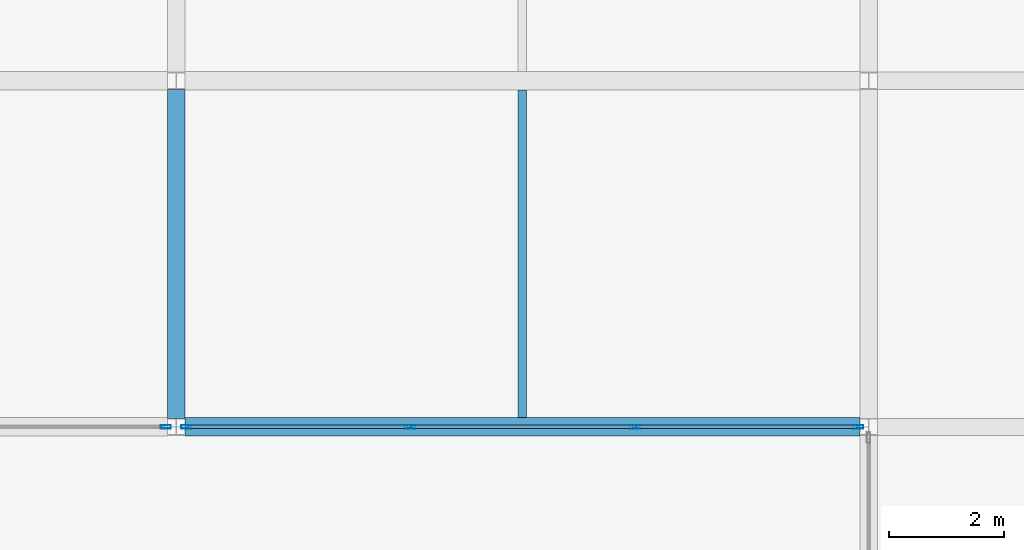
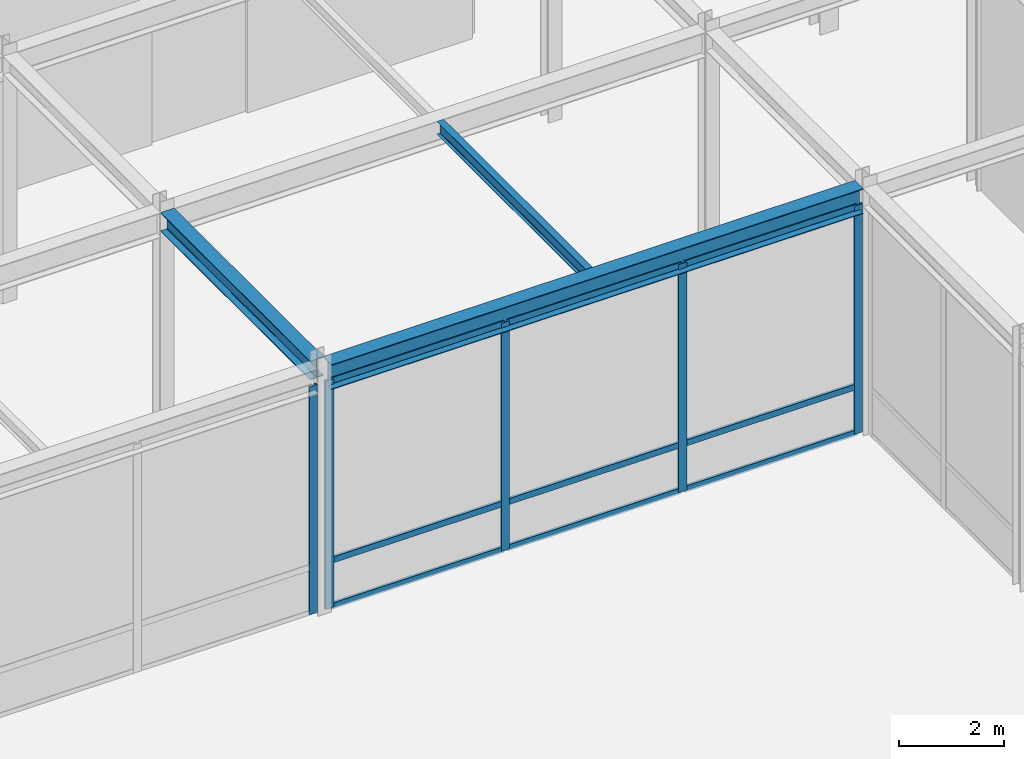
# One storey, part 72 of 108: 14 members, 3 beams, 2 elements without a shape of their own.
"""IFC4 building model written with IfcOpenShell, lengths in metres."""

from ifc_helpers import new_model, si_unit, direction, frame, origin, origin_2d, place, context, subcontext, project, spatial, hollow_rectangle, i_section, extrude, material, layer, layer_set, material_profile, profile_set, type_object, element, aggregate, save


model = new_model("IFC4")

# Units and contexts
model_context = context("Model", 3, precision=1e-05, world=origin(), true_north=direction((0.0, 1.0)))
body_context = subcontext(model_context, "Body", "Model", "MODEL_VIEW")
ifc_project = project(units=[si_unit("LENGTHUNIT", "METRE"), si_unit("AREAUNIT", "SQUARE_METRE"), si_unit("VOLUMEUNIT", "CUBIC_METRE"), si_unit("PLANEANGLEUNIT", "RADIAN"), si_unit("MASSUNIT", "GRAM", prefix="KILO")], contexts=[model_context])

# Site, building, storey
site_placement = place(None, origin())
site = spatial("IfcSite", under=ifc_project, at=site_placement, CompositionType="ELEMENT")
building_placement = place(site_placement, origin())
building = spatial("IfcBuilding", under=site, at=building_placement, Name="Zlatovratsky Civic Hall", CompositionType="ELEMENT")
storey_placement = place(building_placement, frame((0.0, 0.0, 6.0)))
storey = spatial("IfcBuildingStorey", under=building, at=storey_placement, Name="L02", CompositionType="ELEMENT", Elevation=6.0)

# Beams
ifc_material_1 = material(Name="Steel S355", Category="steel")
ifc_material_profile_1 = material_profile(ifc_material_1, i_section(OverallWidth=0.320068359375, OverallDepth=0.58203125, WebThickness=0.011962890625, FlangeThickness=0.01708984375, FilletRadius=0.02392578125, at=origin_2d()), Name="60Sh1")
ifc_profile_set_1 = profile_set([ifc_material_profile_1], Name="Steel S355")
beam_type_1 = type_object("IfcBeamType", Name="Beam_PodiumGirder_60Sh1", PredefinedType="BEAM", material=ifc_profile_set_1)
beam_1_placement = place(storey_placement, frame((36.14990234375, 66.0, 5.468994140625), z_axis=(1.0, 0.0, 0.0), x_axis=(0.0, 1.0, 0.0)))
element("IfcBeam", 1, at=beam_1_placement, inside=storey, type_object=beam_type_1, Name="BM-1873", PredefinedType="BEAM", context=body_context, shape_type="SweptSolid", body=[
    extrude(i_section(OverallWidth=0.320068359375, OverallDepth=0.58203125, WebThickness=0.011962890625, FlangeThickness=0.01708984375, FilletRadius=0.02392578125, at=origin_2d()), origin(), (0.0, 0.0, 1.0), 11.7001953125),
])
ifc_material_profile_2 = material_profile(ifc_material_1, i_section(OverallWidth=0.300048828125, OverallDepth=0.43994140625, WebThickness=0.010986328125, FlangeThickness=0.01806640625, FilletRadius=0.02197265625, at=origin_2d()), Name="45Sh1")
ifc_profile_set_2 = profile_set([ifc_material_profile_2], Name="Steel S355")
beam_type_2 = type_object("IfcBeamType", Name="Beam_TowerLow_45Sh1", PredefinedType="BEAM", material=ifc_profile_set_2)
beam_2_placement = place(storey_placement, frame((36.0, 66.14990234375, 5.5400390625), z_axis=(0.0, 1.0, 0.0), x_axis=(-1.0, 0.0, 0.0)))
element("IfcBeam", 2, at=beam_2_placement, inside=storey, type_object=beam_type_2, Name="BM-2122", PredefinedType="BEAM", context=body_context, shape_type="SweptSolid", body=[
    extrude(i_section(OverallWidth=0.300048828125, OverallDepth=0.43994140625, WebThickness=0.010986328125, FlangeThickness=0.01806640625, FilletRadius=0.02197265625, at=origin_2d()), origin(), (0.0, 0.0, 1.0), 5.7001953125),
])

# Curtain wall, member
ifc_material_2 = material(Name="Anodised bronze aluminium", Category="aluminium")
ifc_layer = layer(ifc_material_2, 0.159912109375)
ifc_layer_set = layer_set([ifc_layer], Name="Anodised bronze aluminium")
curtain_wall_type = type_object("IfcCurtainWallType", Name="CurtainWall_Bronze_11700x5310_05", PredefinedType="NOTDEFINED", material=ifc_layer_set)
curtain_wall_1_placement = place(storey_placement, origin())
curtain_wall_1 = element("IfcCurtainWall", 3, at=curtain_wall_1_placement, inside=storey, type_object=curtain_wall_type, Name="CW-013", PredefinedType="NOTDEFINED")
ifc_material_profile_3 = material_profile(ifc_material_2, hollow_rectangle(XDim=0.06005859375, YDim=0.179931640625, WallThickness=0.00390625, at=origin_2d()), Name="ALU 60x180x4")
ifc_profile_set_3 = profile_set([ifc_material_profile_3], Name="Anodised bronze aluminium")
member_type_1 = type_object("IfcMemberType", Name="CW_Mullion_60x180", PredefinedType="MULLION", material=ifc_profile_set_3)
member_1_placement = place(storey_placement, frame((35.820068359375, 66.0, 0.0), z_axis=(0.0, 0.0, 1.0), x_axis=(0.0, 1.0, 0.0)))
member_1 = element("IfcMember", 4, at=member_1_placement, type_object=member_type_1, Name="CW-05 mullion 4", PredefinedType="MULLION", context=body_context, shape_type="SweptSolid", body=[
    extrude(hollow_rectangle(XDim=0.06005859375, YDim=0.179931640625, WallThickness=0.00390625, at=origin_2d()), origin(), (0.0, 0.0, 1.0), 5.31005859375),
])
aggregate(curtain_wall_1, [member_1])

# Curtain wall, members
curtain_wall_2_placement = place(storey_placement, origin())
curtain_wall_2 = element("IfcCurtainWall", 5, at=curtain_wall_2_placement, inside=storey, type_object=curtain_wall_type, Name="CW-014", PredefinedType="NOTDEFINED")
member_2_placement = place(storey_placement, frame((36.179931640625, 66.0, 0.0), z_axis=(0.0, 0.0, 1.0), x_axis=(0.0, 1.0, 0.0)))
member_2 = element("IfcMember", 6, at=member_2_placement, type_object=member_type_1, Name="CW-05 mullion 1", PredefinedType="MULLION", context=body_context, shape_type="SweptSolid", body=[
    extrude(hollow_rectangle(XDim=0.06005859375, YDim=0.179931640625, WallThickness=0.00390625, at=origin_2d()), origin(), (0.0, 0.0, 1.0), 5.31005859375),
])
member_3_placement = place(storey_placement, frame((40.050048828125, 66.0, 0.0), z_axis=(0.0, 0.0, 1.0), x_axis=(0.0, 1.0, 0.0)))
member_3 = element("IfcMember", 7, at=member_3_placement, type_object=member_type_1, Name="CW-05 mullion 2", PredefinedType="MULLION", context=body_context, shape_type="SweptSolid", body=[
    extrude(hollow_rectangle(XDim=0.06005859375, YDim=0.179931640625, WallThickness=0.00390625, at=origin_2d()), origin(), (0.0, 0.0, 1.0), 5.31005859375),
])
member_4_placement = place(storey_placement, frame((43.949951171875, 66.0, 0.0), z_axis=(0.0, 0.0, 1.0), x_axis=(0.0, 1.0, 0.0)))
member_4 = element("IfcMember", 8, at=member_4_placement, type_object=member_type_1, Name="CW-05 mullion 3", PredefinedType="MULLION", context=body_context, shape_type="SweptSolid", body=[
    extrude(hollow_rectangle(XDim=0.06005859375, YDim=0.179931640625, WallThickness=0.00390625, at=origin_2d()), origin(), (0.0, 0.0, 1.0), 5.31005859375),
])
member_5_placement = place(storey_placement, frame((47.820068359375, 66.0, 0.0), z_axis=(0.0, 0.0, 1.0), x_axis=(0.0, 1.0, 0.0)))
member_5 = element("IfcMember", 9, at=member_5_placement, type_object=member_type_1, Name="CW-05 mullion 4", PredefinedType="MULLION", context=body_context, shape_type="SweptSolid", body=[
    extrude(hollow_rectangle(XDim=0.06005859375, YDim=0.179931640625, WallThickness=0.00390625, at=origin_2d()), origin(), (0.0, 0.0, 1.0), 5.31005859375),
])
ifc_material_profile_4 = material_profile(ifc_material_2, hollow_rectangle(XDim=0.06005859375, YDim=0.139892578125, WallThickness=0.00390625, at=origin_2d()), Name="ALU 60x140x4")
ifc_profile_set_4 = profile_set([ifc_material_profile_4], Name="Anodised bronze aluminium")
member_type_2 = type_object("IfcMemberType", Name="CW_Transom_60x140", PredefinedType="USERDEFINED", material=ifc_profile_set_4)
member_6_placement = place(storey_placement, frame((36.2099609375, 66.0, 0.030029296875), z_axis=(1.0, 0.0, 0.0), x_axis=(0.0, 1.0, 0.0)))
member_6 = element("IfcMember", 10, at=member_6_placement, type_object=member_type_2, Name="CW-05 transom 1.1", ObjectType="TRANSOM", PredefinedType="USERDEFINED", context=body_context, shape_type="SweptSolid", body=[
    extrude(hollow_rectangle(XDim=0.06005859375, YDim=0.139892578125, WallThickness=0.00390625, at=origin_2d()), origin(), (0.0, 0.0, 1.0), 3.81005859375),
])
member_7_placement = place(storey_placement, frame((36.2099609375, 66.0, 1.10009765625), z_axis=(1.0, 0.0, 0.0), x_axis=(0.0, 1.0, 0.0)))
member_7 = element("IfcMember", 11, at=member_7_placement, type_object=member_type_2, Name="CW-05 transom 1.2", ObjectType="TRANSOM", PredefinedType="USERDEFINED", context=body_context, shape_type="SweptSolid", body=[
    extrude(hollow_rectangle(XDim=0.06005859375, YDim=0.139892578125, WallThickness=0.00390625, at=origin_2d()), origin(), (0.0, 0.0, 1.0), 3.81005859375),
])
member_8_placement = place(storey_placement, frame((36.2099609375, 66.0, 5.280029296875), z_axis=(1.0, 0.0, 0.0), x_axis=(0.0, 1.0, 0.0)))
member_8 = element("IfcMember", 12, at=member_8_placement, type_object=member_type_2, Name="CW-05 transom 1.3", ObjectType="TRANSOM", PredefinedType="USERDEFINED", context=body_context, shape_type="SweptSolid", body=[
    extrude(hollow_rectangle(XDim=0.06005859375, YDim=0.139892578125, WallThickness=0.00390625, at=origin_2d()), origin(), (0.0, 0.0, 1.0), 3.81005859375),
])
member_9_placement = place(storey_placement, frame((40.080078125, 66.0, 0.030029296875), z_axis=(1.0, 0.0, 0.0), x_axis=(0.0, 1.0, 0.0)))
member_9 = element("IfcMember", 13, at=member_9_placement, type_object=member_type_2, Name="CW-05 transom 2.1", ObjectType="TRANSOM", PredefinedType="USERDEFINED", context=body_context, shape_type="SweptSolid", body=[
    extrude(hollow_rectangle(XDim=0.06005859375, YDim=0.139892578125, WallThickness=0.00390625, at=origin_2d()), origin(), (0.0, 0.0, 1.0), 3.83984375),
])
member_10_placement = place(storey_placement, frame((40.080078125, 66.0, 1.10009765625), z_axis=(1.0, 0.0, 0.0), x_axis=(0.0, 1.0, 0.0)))
member_10 = element("IfcMember", 14, at=member_10_placement, type_object=member_type_2, Name="CW-05 transom 2.2", ObjectType="TRANSOM", PredefinedType="USERDEFINED", context=body_context, shape_type="SweptSolid", body=[
    extrude(hollow_rectangle(XDim=0.06005859375, YDim=0.139892578125, WallThickness=0.00390625, at=origin_2d()), origin(), (0.0, 0.0, 1.0), 3.83984375),
])
member_11_placement = place(storey_placement, frame((40.080078125, 66.0, 5.280029296875), z_axis=(1.0, 0.0, 0.0), x_axis=(0.0, 1.0, 0.0)))
member_11 = element("IfcMember", 15, at=member_11_placement, type_object=member_type_2, Name="CW-05 transom 2.3", ObjectType="TRANSOM", PredefinedType="USERDEFINED", context=body_context, shape_type="SweptSolid", body=[
    extrude(hollow_rectangle(XDim=0.06005859375, YDim=0.139892578125, WallThickness=0.00390625, at=origin_2d()), origin(), (0.0, 0.0, 1.0), 3.83984375),
])
member_12_placement = place(storey_placement, frame((43.97998046875, 66.0, 0.030029296875), z_axis=(1.0, 0.0, 0.0), x_axis=(0.0, 1.0, 0.0)))
member_12 = element("IfcMember", 16, at=member_12_placement, type_object=member_type_2, Name="CW-05 transom 3.1", ObjectType="TRANSOM", PredefinedType="USERDEFINED", context=body_context, shape_type="SweptSolid", body=[
    extrude(hollow_rectangle(XDim=0.06005859375, YDim=0.139892578125, WallThickness=0.00390625, at=origin_2d()), origin(), (0.0, 0.0, 1.0), 3.81005859375),
])
member_13_placement = place(storey_placement, frame((43.97998046875, 66.0, 1.10009765625), z_axis=(1.0, 0.0, 0.0), x_axis=(0.0, 1.0, 0.0)))
member_13 = element("IfcMember", 17, at=member_13_placement, type_object=member_type_2, Name="CW-05 transom 3.2", ObjectType="TRANSOM", PredefinedType="USERDEFINED", context=body_context, shape_type="SweptSolid", body=[
    extrude(hollow_rectangle(XDim=0.06005859375, YDim=0.139892578125, WallThickness=0.00390625, at=origin_2d()), origin(), (0.0, 0.0, 1.0), 3.81005859375),
])
member_14_placement = place(storey_placement, frame((43.97998046875, 66.0, 5.280029296875), z_axis=(1.0, 0.0, 0.0), x_axis=(0.0, 1.0, 0.0)))
member_14 = element("IfcMember", 18, at=member_14_placement, type_object=member_type_2, Name="CW-05 transom 3.3", ObjectType="TRANSOM", PredefinedType="USERDEFINED", context=body_context, shape_type="SweptSolid", body=[
    extrude(hollow_rectangle(XDim=0.06005859375, YDim=0.139892578125, WallThickness=0.00390625, at=origin_2d()), origin(), (0.0, 0.0, 1.0), 3.81005859375),
])
aggregate(curtain_wall_2, [member_2, member_3, member_4, member_5, member_6, member_7, member_8, member_9, member_10, member_11, member_12, member_13, member_14])

# Beam
ifc_material_profile_5 = material_profile(ifc_material_1, i_section(OverallWidth=0.14990234375, OverallDepth=0.300048828125, WebThickness=0.006591796875, FlangeThickness=0.009033203125, FilletRadius=0.012939453125, at=origin_2d()), Name="30B2")
ifc_profile_set_5 = profile_set([ifc_material_profile_5], Name="Steel S355")
beam_type_3 = type_object("IfcBeamType", Name="Joist_Podium_30B2", PredefinedType="JOIST", material=ifc_profile_set_5)
beam_3_placement = place(storey_placement, frame((42.0, 66.159912109375, 5.610107421875), z_axis=(0.0, 1.0, 0.0), x_axis=(-1.0, 0.0, 0.0)))
element("IfcBeam", 19, at=beam_3_placement, inside=storey, type_object=beam_type_3, Name="BM-2421", PredefinedType="JOIST", context=body_context, shape_type="SweptSolid", body=[
    extrude(i_section(OverallWidth=0.14990234375, OverallDepth=0.300048828125, WebThickness=0.006591796875, FlangeThickness=0.009033203125, FilletRadius=0.012939453125, at=origin_2d()), origin(), (0.0, 0.0, 1.0), 5.68017578125),
])

save(model, "model.ifc")
